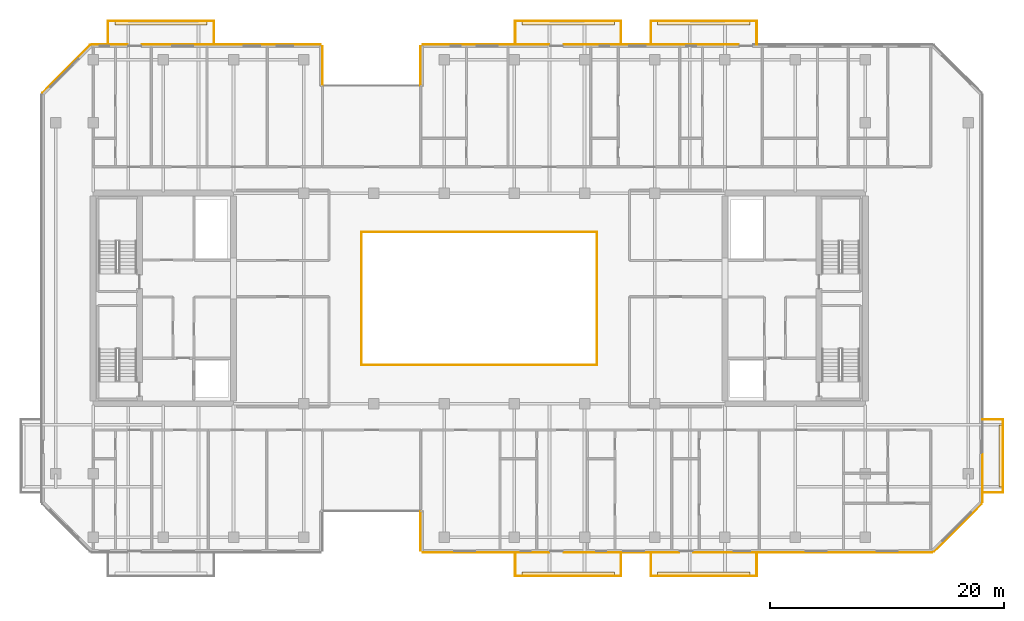
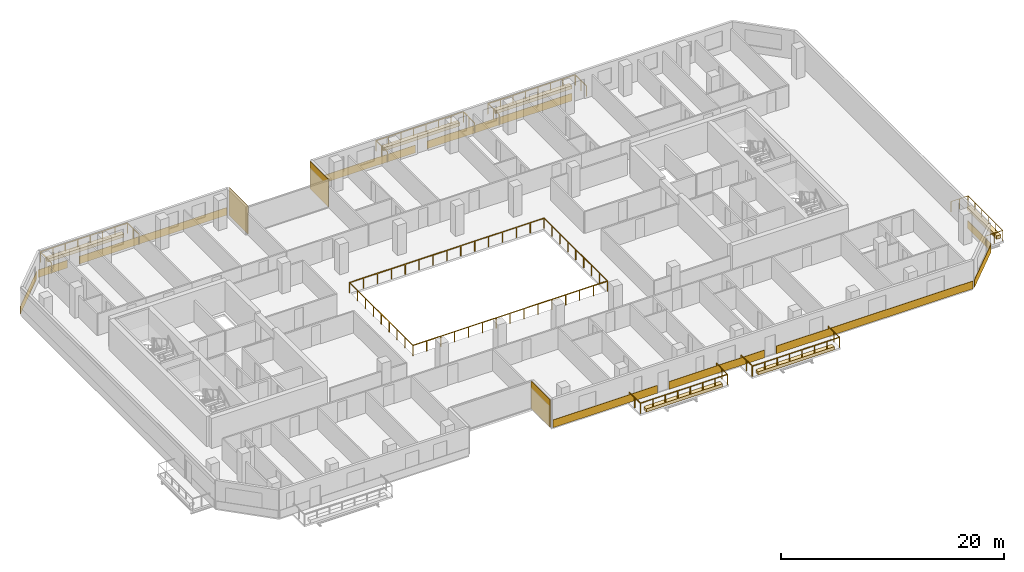
# One storey, part 18 of 19: 19 coverings, 8 railings.
"""IFC4 building model written with IfcOpenShell, lengths in metres."""

from ifc_helpers import new_model, si_unit, direction, frame, origin, origin_2d, place, context, subcontext, project, spatial, polyline, rectangle, outline, extrude, material, layer, layer_set, type_object, element, save


model = new_model("IFC4")

# Units and contexts
model_context = context("Model", 3, precision=1e-05, world=origin(), true_north=direction((0.0, 1.0)))
body_context = subcontext(model_context, "Body", "Model", "MODEL_VIEW")
ifc_project = project(units=[si_unit("LENGTHUNIT", "METRE"), si_unit("AREAUNIT", "SQUARE_METRE"), si_unit("VOLUMEUNIT", "CUBIC_METRE"), si_unit("PLANEANGLEUNIT", "RADIAN"), si_unit("MASSUNIT", "GRAM", prefix="KILO")], contexts=[model_context])

# Site, building, storey
site_placement = place(None, origin())
site = spatial("IfcSite", under=ifc_project, at=site_placement, CompositionType="ELEMENT")
building_placement = place(site_placement, origin())
building = spatial("IfcBuilding", under=site, at=building_placement, Name="Tanjung Sevakor Pilgrim Tower", CompositionType="ELEMENT")
storey_placement = place(building_placement, frame((0.0, 0.0, 138.60009765625)))
storey = spatial("IfcBuildingStorey", under=building, at=storey_placement, Name="L38", CompositionType="ELEMENT", Elevation=138.60009765625)

# Coverings
ifc_material_1 = material(Name="Reconstructed Limestone Cladding", Category="masonry")
ifc_layer_1 = layer(ifc_material_1, 0.044921875)
ifc_layer_set_1 = layer_set([ifc_layer_1], Name="COV-CLAD-LIMESTONE")
covering_type_1 = type_object("IfcCoveringType", Name="COV-CLAD-LIMESTONE", PredefinedType="CLADDING", material=ifc_layer_set_1)
covering_1_placement = place(storey_placement, frame((51.9775390625, 13.72509765625, 0.019775390625), z_axis=(0.0, 0.0, 1.0), x_axis=(0.0, -1.0, 0.0)))
element("IfcCovering", 1, at=covering_1_placement, inside=storey, type_object=covering_type_1, Name="L38 Warm Limestone Wall Cladding EW-L38-MAIN-4", PredefinedType="CLADDING", context=body_context, shape_type="SweptSolid", body=[
    extrude(rectangle(XDim=3.360107421875, YDim=0.044921875, at=origin_2d()), origin(), (0.0, 0.0, 1.0), 3.0400390625),
])
covering_2_placement = place(storey_placement, frame((57.577392578125, 11.87744140625, 0.009765625), z_axis=(0.0, 0.0, 1.0), x_axis=(1.0, 0.0, 0.0)))
element("IfcCovering", 2, at=covering_2_placement, inside=storey, type_object=covering_type_1, Name="L38 Warm Limestone Sill Spandrel EW-L38-MAIN-5-1", PredefinedType="CLADDING", context=body_context, shape_type="SweptSolid", body=[
    extrude(rectangle(XDim=10.824951171875, YDim=0.044921875, at=origin_2d()), origin(), (0.0, 0.0, 1.0), 0.840087890625),
])
covering_3_placement = place(storey_placement, frame((69.14990234375, 11.87744140625, 0.009765625), z_axis=(0.0, 0.0, 1.0), x_axis=(1.0, 0.0, 0.0)))
element("IfcCovering", 3, at=covering_3_placement, inside=storey, type_object=covering_type_1, Name="L38 Warm Limestone Sill Spandrel EW-L38-MAIN-5-2", PredefinedType="CLADDING", context=body_context, shape_type="SweptSolid", body=[
    extrude(rectangle(XDim=9.8798828125, YDim=0.044921875, at=origin_2d()), origin(), (0.0, 0.0, 1.0), 0.840087890625),
])
covering_4_placement = place(storey_placement, frame((85.509033203125, 11.87744140625, 0.009765625), z_axis=(0.0, 0.0, 1.0), x_axis=(1.0, 0.0, 0.0)))
element("IfcCovering", 4, at=covering_4_placement, inside=storey, type_object=covering_type_1, Name="L38 Warm Limestone Sill Spandrel EW-L38-MAIN-5-3", PredefinedType="CLADDING", context=body_context, shape_type="SweptSolid", body=[
    extrude(rectangle(XDim=20.398193359375, YDim=0.044921875, at=origin_2d()), origin(), (0.0, 0.0, 1.0), 0.840087890625),
])
covering_5_placement = place(storey_placement, frame((97.916015625, 13.984130859375, 0.009765625), z_axis=(0.0, 0.0, 1.0), x_axis=(0.707106781187, 0.707106781187, 0.0)))
element("IfcCovering", 5, at=covering_5_placement, inside=storey, type_object=covering_type_1, Name="L38 Warm Limestone Sill Spandrel EW-CHM-L38-MAIN-5-1", PredefinedType="CLADDING", context=body_context, shape_type="SweptSolid", body=[
    extrude(rectangle(XDim=5.756103515625, YDim=0.044921875, at=origin_2d()), origin(), (0.0, 0.0, 1.0), 0.840087890625),
])
covering_6_placement = place(storey_placement, frame((100.0224609375, 18.240966796875, 0.009765625), z_axis=(0.0, 0.0, 1.0), x_axis=(0.0, 1.0, 0.0)))
element("IfcCovering", 6, at=covering_6_placement, inside=storey, type_object=covering_type_1, Name="L38 Warm Limestone Sill Spandrel EW-L38-MAIN-7-1", PredefinedType="CLADDING", context=body_context, shape_type="SweptSolid", body=[
    extrude(rectangle(XDim=4.09814453125, YDim=0.044921875, at=origin_2d()), origin(), (0.0, 0.0, 1.0), 0.840087890625),
])
covering_7_placement = place(storey_placement, frame((71.699951171875, 55.322509765625, 0.009765625), z_axis=(0.0, 0.0, 1.0), x_axis=(-1.0, 0.0, 0.0)))
element("IfcCovering", 7, at=covering_7_placement, inside=storey, type_object=covering_type_1, Name="L38 Warm Limestone Sill Spandrel EW-L38-MAIN-9-2", PredefinedType="CLADDING", context=body_context, shape_type="SweptSolid", body=[
    extrude(rectangle(XDim=14.97998046875, YDim=0.044921875, at=origin_2d()), origin(), (0.0, 0.0, 1.0), 0.840087890625),
])
covering_8_placement = place(storey_placement, frame((57.577392578125, 55.322509765625, 0.009765625), z_axis=(0.0, 0.0, 1.0), x_axis=(-1.0, 0.0, 0.0)))
element("IfcCovering", 8, at=covering_8_placement, inside=storey, type_object=covering_type_1, Name="L38 Warm Limestone Sill Spandrel EW-L38-MAIN-9-3", PredefinedType="CLADDING", context=body_context, shape_type="SweptSolid", body=[
    extrude(rectangle(XDim=10.824951171875, YDim=0.044921875, at=origin_2d()), origin(), (0.0, 0.0, 1.0), 0.840087890625),
])
for number, where, z_axis, x_axis, name in (
    (9, (51.9775390625, 53.47509765625, 0.019775390625), (0.0, 0.0, 1.0), (0.0, -1.0, 0.0), "L38 Warm Limestone Wall Cladding EW-L38-MAIN-10"),
    (10, (43.62255859375, 53.47509765625, 0.019775390625), (0.0, 0.0, 1.0), (0.0, 1.0, 0.0), "L38 Warm Limestone Wall Cladding EW-L38-MAIN-12"),
):
    element("IfcCovering", number, at=place(storey_placement, frame(where, z_axis=z_axis, x_axis=x_axis)), inside=storey, type_object=covering_type_1, Name=name, PredefinedType="CLADDING", context=body_context, shape_type="SweptSolid", body=[
        extrude(rectangle(XDim=3.360107421875, YDim=0.044921875, at=origin_2d()), origin(), (0.0, 0.0, 1.0), 3.0400390625),
    ])
covering_9_placement = place(storey_placement, frame((35.797607421875, 55.322509765625, 0.009765625), z_axis=(0.0, 0.0, 1.0), x_axis=(-1.0, 0.0, 0.0)))
element("IfcCovering", 11, at=covering_9_placement, inside=storey, type_object=covering_type_1, Name="L38 Warm Limestone Sill Spandrel EW-L38-MAIN-13-1", PredefinedType="CLADDING", context=body_context, shape_type="SweptSolid", body=[
    extrude(rectangle(XDim=15.27490234375, YDim=0.044921875, at=origin_2d()), origin(), (0.0, 0.0, 1.0), 0.840087890625),
])
covering_10_placement = place(storey_placement, frame((25.416015625, 55.322509765625, 0.009765625), z_axis=(0.0, 0.0, 1.0), x_axis=(-1.0, 0.0, 0.0)))
element("IfcCovering", 12, at=covering_10_placement, inside=storey, type_object=covering_type_1, Name="L38 Warm Limestone Sill Spandrel EW-L38-MAIN-13-2", PredefinedType="CLADDING", context=body_context, shape_type="SweptSolid", body=[
    extrude(rectangle(XDim=3.048095703125, YDim=0.044921875, at=origin_2d()), origin(), (0.0, 0.0, 1.0), 0.840087890625),
])
covering_11_placement = place(storey_placement, frame((21.68408203125, 53.2158203125, 0.009765625), z_axis=(0.0, 0.0, 1.0), x_axis=(-0.707106781187, -0.707106781187, 0.0)))
element("IfcCovering", 13, at=covering_11_placement, inside=storey, type_object=covering_type_1, Name="L38 Warm Limestone Sill Spandrel EW-CHM-L38-MAIN-13-1", PredefinedType="CLADDING", context=body_context, shape_type="SweptSolid", body=[
    extrude(rectangle(XDim=5.756103515625, YDim=0.044921875, at=origin_2d()), origin(), (0.0, 0.0, 1.0), 0.840087890625),
])
ifc_material_2 = material(Name="Vegetated Modular Planter Assembly", Category="organic")
ifc_layer_2 = layer(ifc_material_2, 0.35009765625)
ifc_layer_set_2 = layer_set([ifc_layer_2], Name="COV-GRN-TROUGH")
covering_type_2 = type_object("IfcCoveringType", Name="COV-GRN-TROUGH", PredefinedType="CLADDING", material=ifc_layer_set_2)
covering_12_placement = place(storey_placement, origin())
element("IfcCovering", 14, at=covering_12_placement, inside=storey, type_object=covering_type_2, Name="L38 Planted Landscape Hedge Trough BGRN-L38-MAIN-N1", PredefinedType="CLADDING", context=body_context, shape_type="SweptSolid", body=[
    extrude(outline(polyline([(25.85009765625, 56.9599609375), (33.75, 56.9599609375), (33.75, 57.39990234375), (25.85009765625, 57.39990234375), (25.85009765625, 56.9599609375)])), origin(), (0.0, 0.0, 1.0), 0.349853515625),
])
covering_13_placement = place(storey_placement, origin())
element("IfcCovering", 15, at=covering_13_placement, inside=storey, type_object=covering_type_2, Name="L38 Planted Landscape Hedge Trough BGRN-L38-MAIN-S2", PredefinedType="CLADDING", context=body_context, shape_type="SweptSolid", body=[
    extrude(outline(polyline([(60.64990234375, 9.800048828125), (68.550048828125, 9.800048828125), (68.550048828125, 10.239990234375), (60.64990234375, 10.239990234375), (60.64990234375, 9.800048828125)])), origin(), (0.0, 0.0, 1.0), 0.349853515625),
])
covering_14_placement = place(storey_placement, origin())
element("IfcCovering", 16, at=covering_14_placement, inside=storey, type_object=covering_type_2, Name="L38 Planted Landscape Hedge Trough BGRN-L38-MAIN-N2", PredefinedType="CLADDING", context=body_context, shape_type="SweptSolid", body=[
    extrude(outline(polyline([(60.64990234375, 56.9599609375), (68.550048828125, 56.9599609375), (68.550048828125, 57.39990234375), (60.64990234375, 57.39990234375), (60.64990234375, 56.9599609375)])), origin(), (0.0, 0.0, 1.0), 0.349853515625),
])
covering_15_placement = place(storey_placement, origin())
element("IfcCovering", 17, at=covering_15_placement, inside=storey, type_object=covering_type_2, Name="L38 Planted Landscape Hedge Trough BGRN-L38-MAIN-S3", PredefinedType="CLADDING", context=body_context, shape_type="SweptSolid", body=[
    extrude(outline(polyline([(72.25, 9.800048828125), (80.14990234375, 9.800048828125), (80.14990234375, 10.239990234375), (72.25, 10.239990234375), (72.25, 9.800048828125)])), origin(), (0.0, 0.0, 1.0), 0.349853515625),
])
covering_16_placement = place(storey_placement, origin())
element("IfcCovering", 18, at=covering_16_placement, inside=storey, type_object=covering_type_2, Name="L38 Planted Landscape Hedge Trough BGRN-L38-MAIN-N3", PredefinedType="CLADDING", context=body_context, shape_type="SweptSolid", body=[
    extrude(outline(polyline([(72.25, 56.9599609375), (80.14990234375, 56.9599609375), (80.14990234375, 57.39990234375), (72.25, 57.39990234375), (72.25, 56.9599609375)])), origin(), (0.0, 0.0, 1.0), 0.349853515625),
])
covering_17_placement = place(storey_placement, origin())
element("IfcCovering", 19, at=covering_17_placement, inside=storey, type_object=covering_type_2, Name="L38 Planted Landscape Hedge Trough BGRN-L38-MAIN-E1", PredefinedType="CLADDING", context=body_context, shape_type="SweptSolid", body=[
    extrude(outline(polyline([(101.85009765625, 17.5), (101.85009765625, 22.800048828125), (101.409912109375, 22.800048828125), (101.409912109375, 17.5), (101.85009765625, 17.5)])), origin(), (0.0, 0.0, 1.0), 0.349853515625),
])

# Railings
ifc_material_3 = material(Name="Laminated Glass and Aluminium", Category="aluminium")
railing_type = type_object("IfcRailingType", Name="RL-BAL-BALUST", PredefinedType="BALUSTRADE", material=ifc_material_3)
railing_1_placement = place(storey_placement, frame((46.919921875, 27.919921875, 0.0)))
element("IfcRailing", 20, at=railing_1_placement, inside=storey, type_object=railing_type, Name="L38 Void Opening Balustrade 1A", PredefinedType="BALUSTRADE", context=body_context, shape_type="SweptSolid", body=[
    extrude(rectangle(XDim=0.0479, YDim=0.0479), frame((0.0, 0.0, 1.1259765625), z_axis=(1.0, 0.0, 0.0), x_axis=(0.0, 1.0, 0.0)), (0.0, 0.0, 1.0), 20.16015625),
    extrude(rectangle(XDim=0.0479, YDim=0.0479), frame((20.16015625, 0.0, 1.1259765625), z_axis=(0.0, 1.0, 0.0), x_axis=(-1.0, 0.0, 0.0)), (0.0, 0.0, 1.0), 11.360107421875),
    extrude(rectangle(XDim=0.042, YDim=0.042), origin(), (0.0, 0.0, 1.0), 1.101806640625),
    extrude(rectangle(XDim=0.042, YDim=0.042), frame((1.43994140625, 0.0, 0.0)), (0.0, 0.0, 1.0), 1.101806640625),
    extrude(rectangle(XDim=0.042, YDim=0.042), frame((2.880126953125, 0.0, 0.0)), (0.0, 0.0, 1.0), 1.101806640625),
    extrude(rectangle(XDim=0.042, YDim=0.042), frame((4.320068359375, 0.0, 0.0)), (0.0, 0.0, 1.0), 1.101806640625),
    extrude(rectangle(XDim=0.042, YDim=0.042), frame((5.760009765625, 0.0, 0.0)), (0.0, 0.0, 1.0), 1.101806640625),
    extrude(rectangle(XDim=0.042, YDim=0.042), frame((7.199951171875, 0.0, 0.0)), (0.0, 0.0, 1.0), 1.101806640625),
    extrude(rectangle(XDim=0.042, YDim=0.042), frame((8.64013671875, 0.0, 0.0)), (0.0, 0.0, 1.0), 1.101806640625),
    extrude(rectangle(XDim=0.042, YDim=0.042), frame((10.080078125, 0.0, 0.0)), (0.0, 0.0, 1.0), 1.101806640625),
    extrude(rectangle(XDim=0.042, YDim=0.042), frame((11.52001953125, 0.0, 0.0)), (0.0, 0.0, 1.0), 1.101806640625),
    extrude(rectangle(XDim=0.042, YDim=0.042), frame((12.960205078125, 0.0, 0.0)), (0.0, 0.0, 1.0), 1.101806640625),
    extrude(rectangle(XDim=0.042, YDim=0.042), frame((14.400146484375, 0.0, 0.0)), (0.0, 0.0, 1.0), 1.101806640625),
    extrude(rectangle(XDim=0.042, YDim=0.042), frame((15.840087890625, 0.0, 0.0)), (0.0, 0.0, 1.0), 1.101806640625),
    extrude(rectangle(XDim=0.042, YDim=0.042), frame((17.280029296875, 0.0, 0.0)), (0.0, 0.0, 1.0), 1.101806640625),
    extrude(rectangle(XDim=0.042, YDim=0.042), frame((18.72021484375, 0.0, 0.0)), (0.0, 0.0, 1.0), 1.101806640625),
    extrude(rectangle(XDim=0.042, YDim=0.042), frame((20.16015625, 0.0, 0.0)), (0.0, 0.0, 1.0), 1.101806640625),
    extrude(rectangle(XDim=0.042, YDim=0.042), frame((20.16015625, 1.419921875, 0.0)), (0.0, 0.0, 1.0), 1.101806640625),
    extrude(rectangle(XDim=0.042, YDim=0.042), frame((20.16015625, 2.840087890625, 0.0)), (0.0, 0.0, 1.0), 1.101806640625),
    extrude(rectangle(XDim=0.042, YDim=0.042), frame((20.16015625, 4.260009765625, 0.0)), (0.0, 0.0, 1.0), 1.101806640625),
    extrude(rectangle(XDim=0.042, YDim=0.042), frame((20.16015625, 5.68017578125, 0.0)), (0.0, 0.0, 1.0), 1.101806640625),
    extrude(rectangle(XDim=0.042, YDim=0.042), frame((20.16015625, 7.10009765625, 0.0)), (0.0, 0.0, 1.0), 1.101806640625),
    extrude(rectangle(XDim=0.042, YDim=0.042), frame((20.16015625, 8.52001953125, 0.0)), (0.0, 0.0, 1.0), 1.101806640625),
    extrude(rectangle(XDim=0.042, YDim=0.042), frame((20.16015625, 9.940185546875, 0.0)), (0.0, 0.0, 1.0), 1.101806640625),
    extrude(rectangle(XDim=0.042, YDim=0.042), frame((20.16015625, 11.360107421875, 0.0)), (0.0, 0.0, 1.0), 1.101806640625),
])
railing_2_placement = place(storey_placement, frame((67.080078125, 39.280029296875, 0.0)))
element("IfcRailing", 21, at=railing_2_placement, inside=storey, type_object=railing_type, Name="L38 Void Opening Balustrade 1B", PredefinedType="BALUSTRADE", context=body_context, shape_type="SweptSolid", body=[
    extrude(rectangle(XDim=0.0479, YDim=0.0479), frame((0.0, 0.0, 1.1259765625), z_axis=(-1.0, 0.0, 0.0), x_axis=(0.0, -1.0, 0.0)), (0.0, 0.0, 1.0), 20.16015625),
    extrude(rectangle(XDim=0.0479, YDim=0.0479), frame((-20.16015625, 0.0, 1.1259765625), z_axis=(0.0, -1.0, 0.0), x_axis=(1.0, 0.0, 0.0)), (0.0, 0.0, 1.0), 11.360107421875),
    extrude(rectangle(XDim=0.042, YDim=0.042), origin(), (0.0, 0.0, 1.0), 1.101806640625),
    extrude(rectangle(XDim=0.042, YDim=0.042), frame((-1.43994140625, 0.0, 0.0)), (0.0, 0.0, 1.0), 1.101806640625),
    extrude(rectangle(XDim=0.042, YDim=0.042), frame((-2.880126953125, 0.0, 0.0)), (0.0, 0.0, 1.0), 1.101806640625),
    extrude(rectangle(XDim=0.042, YDim=0.042), frame((-4.320068359375, 0.0, 0.0)), (0.0, 0.0, 1.0), 1.101806640625),
    extrude(rectangle(XDim=0.042, YDim=0.042), frame((-5.760009765625, 0.0, 0.0)), (0.0, 0.0, 1.0), 1.101806640625),
    extrude(rectangle(XDim=0.042, YDim=0.042), frame((-7.199951171875, 0.0, 0.0)), (0.0, 0.0, 1.0), 1.101806640625),
    extrude(rectangle(XDim=0.042, YDim=0.042), frame((-8.64013671875, 0.0, 0.0)), (0.0, 0.0, 1.0), 1.101806640625),
    extrude(rectangle(XDim=0.042, YDim=0.042), frame((-10.080078125, 0.0, 0.0)), (0.0, 0.0, 1.0), 1.101806640625),
    extrude(rectangle(XDim=0.042, YDim=0.042), frame((-11.52001953125, 0.0, 0.0)), (0.0, 0.0, 1.0), 1.101806640625),
    extrude(rectangle(XDim=0.042, YDim=0.042), frame((-12.960205078125, 0.0, 0.0)), (0.0, 0.0, 1.0), 1.101806640625),
    extrude(rectangle(XDim=0.042, YDim=0.042), frame((-14.400146484375, 0.0, 0.0)), (0.0, 0.0, 1.0), 1.101806640625),
    extrude(rectangle(XDim=0.042, YDim=0.042), frame((-15.840087890625, 0.0, 0.0)), (0.0, 0.0, 1.0), 1.101806640625),
    extrude(rectangle(XDim=0.042, YDim=0.042), frame((-17.280029296875, 0.0, 0.0)), (0.0, 0.0, 1.0), 1.101806640625),
    extrude(rectangle(XDim=0.042, YDim=0.042), frame((-18.72021484375, 0.0, 0.0)), (0.0, 0.0, 1.0), 1.101806640625),
    extrude(rectangle(XDim=0.042, YDim=0.042), frame((-20.16015625, 0.0, 0.0)), (0.0, 0.0, 1.0), 1.101806640625),
    extrude(rectangle(XDim=0.042, YDim=0.042), frame((-20.16015625, -1.419921875, 0.0)), (0.0, 0.0, 1.0), 1.101806640625),
    extrude(rectangle(XDim=0.042, YDim=0.042), frame((-20.16015625, -2.840087890625, 0.0)), (0.0, 0.0, 1.0), 1.101806640625),
    extrude(rectangle(XDim=0.042, YDim=0.042), frame((-20.16015625, -4.260009765625, 0.0)), (0.0, 0.0, 1.0), 1.101806640625),
    extrude(rectangle(XDim=0.042, YDim=0.042), frame((-20.16015625, -5.68017578125, 0.0)), (0.0, 0.0, 1.0), 1.101806640625),
    extrude(rectangle(XDim=0.042, YDim=0.042), frame((-20.16015625, -7.10009765625, 0.0)), (0.0, 0.0, 1.0), 1.101806640625),
    extrude(rectangle(XDim=0.042, YDim=0.042), frame((-20.16015625, -8.52001953125, 0.0)), (0.0, 0.0, 1.0), 1.101806640625),
    extrude(rectangle(XDim=0.042, YDim=0.042), frame((-20.16015625, -9.940185546875, 0.0)), (0.0, 0.0, 1.0), 1.101806640625),
    extrude(rectangle(XDim=0.042, YDim=0.042), frame((-20.16015625, -11.360107421875, 0.0)), (0.0, 0.0, 1.0), 1.101806640625),
])
railing_3_placement = place(storey_placement, frame((25.280029296875, 55.300048828125, 0.0)))
element("IfcRailing", 22, at=railing_3_placement, inside=storey, type_object=railing_type, Name="L38 Loggia Balustrade MAIN-N1", PredefinedType="BALUSTRADE", context=body_context, shape_type="SweptSolid", body=[
    extrude(rectangle(XDim=0.0479, YDim=0.0479), frame((0.0, 0.0, 1.1259765625), z_axis=(0.0, 1.0, 0.0), x_axis=(-1.0, 0.0, 0.0)), (0.0, 0.0, 1.0), 2.02001953125),
    extrude(rectangle(XDim=0.0479, YDim=0.0479), frame((0.0, 2.02001953125, 1.1259765625), z_axis=(1.0, 0.0, 0.0), x_axis=(0.0, 1.0, 0.0)), (0.0, 0.0, 1.0), 9.0400390625),
    extrude(rectangle(XDim=0.0479, YDim=0.0479), frame((9.0400390625, 2.02001953125, 1.1259765625), z_axis=(0.0, -1.0, 0.0), x_axis=(1.0, 0.0, 0.0)), (0.0, 0.0, 1.0), 2.02001953125),
    extrude(rectangle(XDim=0.042, YDim=0.042), origin(), (0.0, 0.0, 1.0), 1.101806640625),
    extrude(rectangle(XDim=0.042, YDim=0.042), frame((0.0, 1.010009765625, 0.0)), (0.0, 0.0, 1.0), 1.101806640625),
    extrude(rectangle(XDim=0.042, YDim=0.042), frame((0.0, 2.02001953125, 0.0)), (0.0, 0.0, 1.0), 1.101806640625),
    extrude(rectangle(XDim=0.042, YDim=0.042), frame((1.29150390625, 2.02001953125, 0.0)), (0.0, 0.0, 1.0), 1.101806640625),
    extrude(rectangle(XDim=0.042, YDim=0.042), frame((2.582763671875, 2.02001953125, 0.0)), (0.0, 0.0, 1.0), 1.101806640625),
    extrude(rectangle(XDim=0.042, YDim=0.042), frame((3.874267578125, 2.02001953125, 0.0)), (0.0, 0.0, 1.0), 1.101806640625),
    extrude(rectangle(XDim=0.042, YDim=0.042), frame((5.165771484375, 2.02001953125, 0.0)), (0.0, 0.0, 1.0), 1.101806640625),
    extrude(rectangle(XDim=0.042, YDim=0.042), frame((6.457275390625, 2.02001953125, 0.0)), (0.0, 0.0, 1.0), 1.101806640625),
    extrude(rectangle(XDim=0.042, YDim=0.042), frame((7.74853515625, 2.02001953125, 0.0)), (0.0, 0.0, 1.0), 1.101806640625),
    extrude(rectangle(XDim=0.042, YDim=0.042), frame((9.0400390625, 2.02001953125, 0.0)), (0.0, 0.0, 1.0), 1.101806640625),
    extrude(rectangle(XDim=0.042, YDim=0.042), frame((9.0400390625, 1.010009765625, 0.0)), (0.0, 0.0, 1.0), 1.101806640625),
    extrude(rectangle(XDim=0.042, YDim=0.042), frame((9.0400390625, 0.0, 0.0)), (0.0, 0.0, 1.0), 1.101806640625),
])
railing_4_placement = place(storey_placement, frame((60.080078125, 11.89990234375, 0.0)))
element("IfcRailing", 23, at=railing_4_placement, inside=storey, type_object=railing_type, Name="L38 Loggia Balustrade MAIN-S2", PredefinedType="BALUSTRADE", context=body_context, shape_type="SweptSolid", body=[
    extrude(rectangle(XDim=0.0479, YDim=0.0479), frame((0.0, 0.0, 1.1259765625), z_axis=(0.0, -1.0, 0.0), x_axis=(1.0, 0.0, 0.0)), (0.0, 0.0, 1.0), 2.02001953125),
    extrude(rectangle(XDim=0.0479, YDim=0.0479), frame((0.0, -2.02001953125, 1.1259765625), z_axis=(1.0, 0.0, 0.0), x_axis=(0.0, 1.0, 0.0)), (0.0, 0.0, 1.0), 9.0400390625),
    extrude(rectangle(XDim=0.0479, YDim=0.0479), frame((9.0400390625, -2.02001953125, 1.1259765625), z_axis=(0.0, 1.0, 0.0), x_axis=(-1.0, 0.0, 0.0)), (0.0, 0.0, 1.0), 2.02001953125),
    extrude(rectangle(XDim=0.042, YDim=0.042), origin(), (0.0, 0.0, 1.0), 1.101806640625),
    extrude(rectangle(XDim=0.042, YDim=0.042), frame((0.0, -1.010009765625, 0.0)), (0.0, 0.0, 1.0), 1.101806640625),
    extrude(rectangle(XDim=0.042, YDim=0.042), frame((0.0, -2.02001953125, 0.0)), (0.0, 0.0, 1.0), 1.101806640625),
    extrude(rectangle(XDim=0.042, YDim=0.042), frame((1.29150390625, -2.02001953125, 0.0)), (0.0, 0.0, 1.0), 1.101806640625),
    extrude(rectangle(XDim=0.042, YDim=0.042), frame((2.582763671875, -2.02001953125, 0.0)), (0.0, 0.0, 1.0), 1.101806640625),
    extrude(rectangle(XDim=0.042, YDim=0.042), frame((3.874267578125, -2.02001953125, 0.0)), (0.0, 0.0, 1.0), 1.101806640625),
    extrude(rectangle(XDim=0.042, YDim=0.042), frame((5.165771484375, -2.02001953125, 0.0)), (0.0, 0.0, 1.0), 1.101806640625),
    extrude(rectangle(XDim=0.042, YDim=0.042), frame((6.457275390625, -2.02001953125, 0.0)), (0.0, 0.0, 1.0), 1.101806640625),
    extrude(rectangle(XDim=0.042, YDim=0.042), frame((7.74853515625, -2.02001953125, 0.0)), (0.0, 0.0, 1.0), 1.101806640625),
    extrude(rectangle(XDim=0.042, YDim=0.042), frame((9.0400390625, -2.02001953125, 0.0)), (0.0, 0.0, 1.0), 1.101806640625),
    extrude(rectangle(XDim=0.042, YDim=0.042), frame((9.0400390625, -1.010009765625, 0.0)), (0.0, 0.0, 1.0), 1.101806640625),
    extrude(rectangle(XDim=0.042, YDim=0.042), frame((9.0400390625, 0.0, 0.0)), (0.0, 0.0, 1.0), 1.101806640625),
])
railing_5_placement = place(storey_placement, frame((60.080078125, 55.300048828125, 0.0)))
element("IfcRailing", 24, at=railing_5_placement, inside=storey, type_object=railing_type, Name="L38 Loggia Balustrade MAIN-N2", PredefinedType="BALUSTRADE", context=body_context, shape_type="SweptSolid", body=[
    extrude(rectangle(XDim=0.0479, YDim=0.0479), frame((0.0, 0.0, 1.1259765625), z_axis=(0.0, 1.0, 0.0), x_axis=(-1.0, 0.0, 0.0)), (0.0, 0.0, 1.0), 2.02001953125),
    extrude(rectangle(XDim=0.0479, YDim=0.0479), frame((0.0, 2.02001953125, 1.1259765625), z_axis=(1.0, 0.0, 0.0), x_axis=(0.0, 1.0, 0.0)), (0.0, 0.0, 1.0), 9.0400390625),
    extrude(rectangle(XDim=0.0479, YDim=0.0479), frame((9.0400390625, 2.02001953125, 1.1259765625), z_axis=(0.0, -1.0, 0.0), x_axis=(1.0, 0.0, 0.0)), (0.0, 0.0, 1.0), 2.02001953125),
    extrude(rectangle(XDim=0.042, YDim=0.042), origin(), (0.0, 0.0, 1.0), 1.101806640625),
    extrude(rectangle(XDim=0.042, YDim=0.042), frame((0.0, 1.010009765625, 0.0)), (0.0, 0.0, 1.0), 1.101806640625),
    extrude(rectangle(XDim=0.042, YDim=0.042), frame((0.0, 2.02001953125, 0.0)), (0.0, 0.0, 1.0), 1.101806640625),
    extrude(rectangle(XDim=0.042, YDim=0.042), frame((1.29150390625, 2.02001953125, 0.0)), (0.0, 0.0, 1.0), 1.101806640625),
    extrude(rectangle(XDim=0.042, YDim=0.042), frame((2.582763671875, 2.02001953125, 0.0)), (0.0, 0.0, 1.0), 1.101806640625),
    extrude(rectangle(XDim=0.042, YDim=0.042), frame((3.874267578125, 2.02001953125, 0.0)), (0.0, 0.0, 1.0), 1.101806640625),
    extrude(rectangle(XDim=0.042, YDim=0.042), frame((5.165771484375, 2.02001953125, 0.0)), (0.0, 0.0, 1.0), 1.101806640625),
    extrude(rectangle(XDim=0.042, YDim=0.042), frame((6.457275390625, 2.02001953125, 0.0)), (0.0, 0.0, 1.0), 1.101806640625),
    extrude(rectangle(XDim=0.042, YDim=0.042), frame((7.74853515625, 2.02001953125, 0.0)), (0.0, 0.0, 1.0), 1.101806640625),
    extrude(rectangle(XDim=0.042, YDim=0.042), frame((9.0400390625, 2.02001953125, 0.0)), (0.0, 0.0, 1.0), 1.101806640625),
    extrude(rectangle(XDim=0.042, YDim=0.042), frame((9.0400390625, 1.010009765625, 0.0)), (0.0, 0.0, 1.0), 1.101806640625),
    extrude(rectangle(XDim=0.042, YDim=0.042), frame((9.0400390625, 0.0, 0.0)), (0.0, 0.0, 1.0), 1.101806640625),
])
railing_6_placement = place(storey_placement, frame((71.679931640625, 11.89990234375, 0.0)))
element("IfcRailing", 25, at=railing_6_placement, inside=storey, type_object=railing_type, Name="L38 Loggia Balustrade MAIN-S3", PredefinedType="BALUSTRADE", context=body_context, shape_type="SweptSolid", body=[
    extrude(rectangle(XDim=0.0479, YDim=0.0479), frame((0.0, 0.0, 1.1259765625), z_axis=(0.0, -1.0, 0.0), x_axis=(1.0, 0.0, 0.0)), (0.0, 0.0, 1.0), 2.02001953125),
    extrude(rectangle(XDim=0.0479, YDim=0.0479), frame((0.0, -2.02001953125, 1.1259765625), z_axis=(1.0, 0.0, 0.0), x_axis=(0.0, 1.0, 0.0)), (0.0, 0.0, 1.0), 9.0400390625),
    extrude(rectangle(XDim=0.0479, YDim=0.0479), frame((9.0400390625, -2.02001953125, 1.1259765625), z_axis=(0.0, 1.0, 0.0), x_axis=(-1.0, 0.0, 0.0)), (0.0, 0.0, 1.0), 2.02001953125),
    extrude(rectangle(XDim=0.042, YDim=0.042), origin(), (0.0, 0.0, 1.0), 1.101806640625),
    extrude(rectangle(XDim=0.042, YDim=0.042), frame((0.0, -1.010009765625, 0.0)), (0.0, 0.0, 1.0), 1.101806640625),
    extrude(rectangle(XDim=0.042, YDim=0.042), frame((0.0, -2.02001953125, 0.0)), (0.0, 0.0, 1.0), 1.101806640625),
    extrude(rectangle(XDim=0.042, YDim=0.042), frame((1.29150390625, -2.02001953125, 0.0)), (0.0, 0.0, 1.0), 1.101806640625),
    extrude(rectangle(XDim=0.042, YDim=0.042), frame((2.582763671875, -2.02001953125, 0.0)), (0.0, 0.0, 1.0), 1.101806640625),
    extrude(rectangle(XDim=0.042, YDim=0.042), frame((3.874267578125, -2.02001953125, 0.0)), (0.0, 0.0, 1.0), 1.101806640625),
    extrude(rectangle(XDim=0.042, YDim=0.042), frame((5.165771484375, -2.02001953125, 0.0)), (0.0, 0.0, 1.0), 1.101806640625),
    extrude(rectangle(XDim=0.042, YDim=0.042), frame((6.457275390625, -2.02001953125, 0.0)), (0.0, 0.0, 1.0), 1.101806640625),
    extrude(rectangle(XDim=0.042, YDim=0.042), frame((7.74853515625, -2.02001953125, 0.0)), (0.0, 0.0, 1.0), 1.101806640625),
    extrude(rectangle(XDim=0.042, YDim=0.042), frame((9.0400390625, -2.02001953125, 0.0)), (0.0, 0.0, 1.0), 1.101806640625),
    extrude(rectangle(XDim=0.042, YDim=0.042), frame((9.0400390625, -1.010009765625, 0.0)), (0.0, 0.0, 1.0), 1.101806640625),
    extrude(rectangle(XDim=0.042, YDim=0.042), frame((9.0400390625, 0.0, 0.0)), (0.0, 0.0, 1.0), 1.101806640625),
])
railing_7_placement = place(storey_placement, frame((71.679931640625, 55.300048828125, 0.0)))
element("IfcRailing", 26, at=railing_7_placement, inside=storey, type_object=railing_type, Name="L38 Loggia Balustrade MAIN-N3", PredefinedType="BALUSTRADE", context=body_context, shape_type="SweptSolid", body=[
    extrude(rectangle(XDim=0.0479, YDim=0.0479), frame((0.0, 0.0, 1.1259765625), z_axis=(0.0, 1.0, 0.0), x_axis=(-1.0, 0.0, 0.0)), (0.0, 0.0, 1.0), 2.02001953125),
    extrude(rectangle(XDim=0.0479, YDim=0.0479), frame((0.0, 2.02001953125, 1.1259765625), z_axis=(1.0, 0.0, 0.0), x_axis=(0.0, 1.0, 0.0)), (0.0, 0.0, 1.0), 9.0400390625),
    extrude(rectangle(XDim=0.0479, YDim=0.0479), frame((9.0400390625, 2.02001953125, 1.1259765625), z_axis=(0.0, -1.0, 0.0), x_axis=(1.0, 0.0, 0.0)), (0.0, 0.0, 1.0), 2.02001953125),
    extrude(rectangle(XDim=0.042, YDim=0.042), origin(), (0.0, 0.0, 1.0), 1.101806640625),
    extrude(rectangle(XDim=0.042, YDim=0.042), frame((0.0, 1.010009765625, 0.0)), (0.0, 0.0, 1.0), 1.101806640625),
    extrude(rectangle(XDim=0.042, YDim=0.042), frame((0.0, 2.02001953125, 0.0)), (0.0, 0.0, 1.0), 1.101806640625),
    extrude(rectangle(XDim=0.042, YDim=0.042), frame((1.29150390625, 2.02001953125, 0.0)), (0.0, 0.0, 1.0), 1.101806640625),
    extrude(rectangle(XDim=0.042, YDim=0.042), frame((2.582763671875, 2.02001953125, 0.0)), (0.0, 0.0, 1.0), 1.101806640625),
    extrude(rectangle(XDim=0.042, YDim=0.042), frame((3.874267578125, 2.02001953125, 0.0)), (0.0, 0.0, 1.0), 1.101806640625),
    extrude(rectangle(XDim=0.042, YDim=0.042), frame((5.165771484375, 2.02001953125, 0.0)), (0.0, 0.0, 1.0), 1.101806640625),
    extrude(rectangle(XDim=0.042, YDim=0.042), frame((6.457275390625, 2.02001953125, 0.0)), (0.0, 0.0, 1.0), 1.101806640625),
    extrude(rectangle(XDim=0.042, YDim=0.042), frame((7.74853515625, 2.02001953125, 0.0)), (0.0, 0.0, 1.0), 1.101806640625),
    extrude(rectangle(XDim=0.042, YDim=0.042), frame((9.0400390625, 2.02001953125, 0.0)), (0.0, 0.0, 1.0), 1.101806640625),
    extrude(rectangle(XDim=0.042, YDim=0.042), frame((9.0400390625, 1.010009765625, 0.0)), (0.0, 0.0, 1.0), 1.101806640625),
    extrude(rectangle(XDim=0.042, YDim=0.042), frame((9.0400390625, 0.0, 0.0)), (0.0, 0.0, 1.0), 1.101806640625),
])
railing_8_placement = place(storey_placement, frame((100.0, 17.030029296875, 0.0)))
element("IfcRailing", 27, at=railing_8_placement, inside=storey, type_object=railing_type, Name="L38 Loggia Balustrade MAIN-E1", PredefinedType="BALUSTRADE", context=body_context, shape_type="SweptSolid", body=[
    extrude(rectangle(XDim=0.0479, YDim=0.0479), frame((0.0, 0.0, 1.1259765625), z_axis=(1.0, 0.0, 0.0), x_axis=(0.0, 1.0, 0.0)), (0.0, 0.0, 1.0), 1.77001953125),
    extrude(rectangle(XDim=0.0479, YDim=0.0479), frame((1.77001953125, 0.0, 1.1259765625), z_axis=(0.0, 1.0, 0.0), x_axis=(-1.0, 0.0, 0.0)), (0.0, 0.0, 1.0), 6.239990234375),
    extrude(rectangle(XDim=0.0479, YDim=0.0479), frame((1.77001953125, 6.239990234375, 1.1259765625), z_axis=(-1.0, 0.0, 0.0), x_axis=(0.0, -1.0, 0.0)), (0.0, 0.0, 1.0), 1.77001953125),
    extrude(rectangle(XDim=0.042, YDim=0.042), origin(), (0.0, 0.0, 1.0), 1.101806640625),
    extrude(rectangle(XDim=0.042, YDim=0.042), frame((0.885009765625, 0.0, 0.0)), (0.0, 0.0, 1.0), 1.101806640625),
    extrude(rectangle(XDim=0.042, YDim=0.042), frame((1.77001953125, 0.0, 0.0)), (0.0, 0.0, 1.0), 1.101806640625),
    extrude(rectangle(XDim=0.042, YDim=0.042), frame((1.77001953125, 1.248046875, 0.0)), (0.0, 0.0, 1.0), 1.101806640625),
    extrude(rectangle(XDim=0.042, YDim=0.042), frame((1.77001953125, 2.49609375, 0.0)), (0.0, 0.0, 1.0), 1.101806640625),
    extrude(rectangle(XDim=0.042, YDim=0.042), frame((1.77001953125, 3.743896484375, 0.0)), (0.0, 0.0, 1.0), 1.101806640625),
    extrude(rectangle(XDim=0.042, YDim=0.042), frame((1.77001953125, 4.991943359375, 0.0)), (0.0, 0.0, 1.0), 1.101806640625),
    extrude(rectangle(XDim=0.042, YDim=0.042), frame((1.77001953125, 6.239990234375, 0.0)), (0.0, 0.0, 1.0), 1.101806640625),
    extrude(rectangle(XDim=0.042, YDim=0.042), frame((0.885009765625, 6.239990234375, 0.0)), (0.0, 0.0, 1.0), 1.101806640625),
    extrude(rectangle(XDim=0.042, YDim=0.042), frame((0.0, 6.239990234375, 0.0)), (0.0, 0.0, 1.0), 1.101806640625),
])

save(model, "model.ifc")
